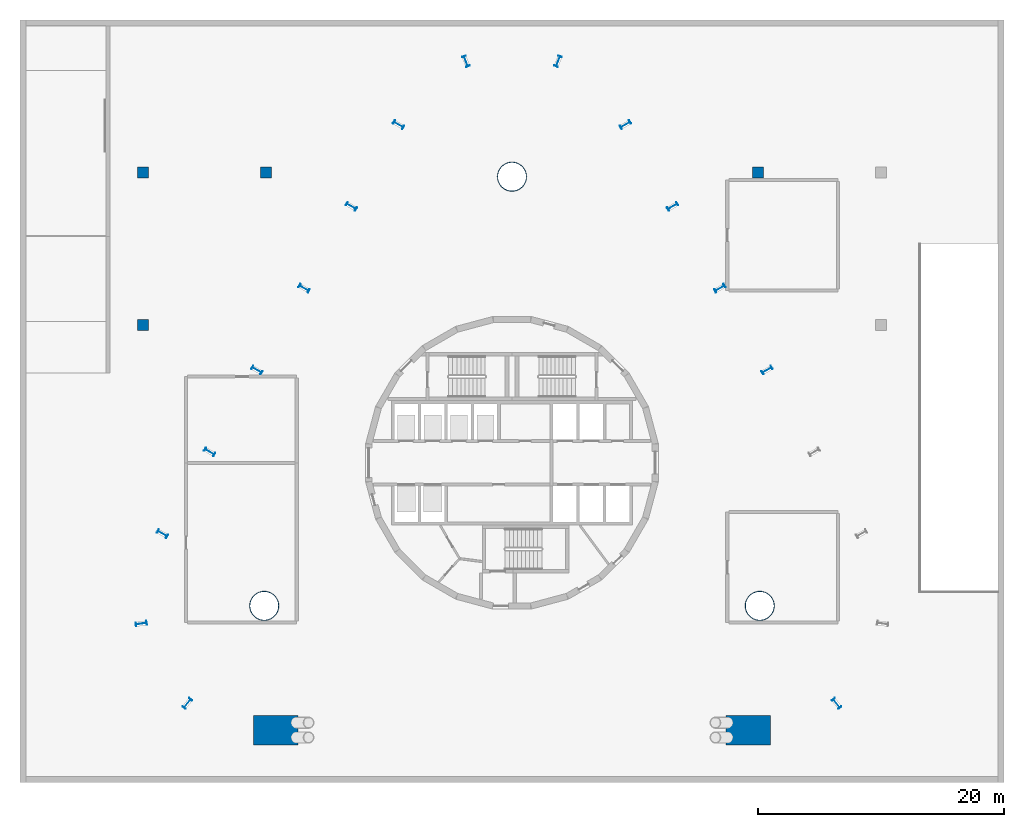
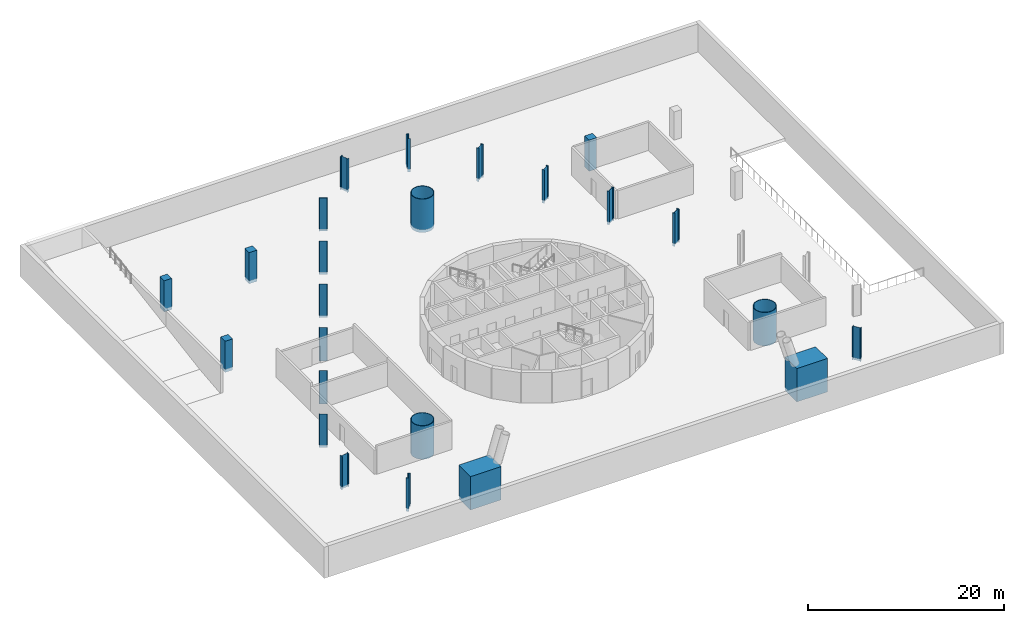
# One storey, part 1 of 10: 24 columns.
"""IFC4 building model written with IfcOpenShell, lengths in metres."""

from ifc_helpers import new_model, si_unit, direction, frame, origin, origin_2d, place, context, subcontext, project, spatial, rectangle, hollow_circle, i_section, extrude, material, material_profile, profile_set, type_object, element, save


model = new_model("IFC4")

# Units and contexts
model_context = context("Model", 3, precision=1e-05, world=origin(), true_north=direction((0.0, 1.0)))
body_context = subcontext(model_context, "Body", "Model", "MODEL_VIEW")
ifc_project = project(units=[si_unit("LENGTHUNIT", "METRE"), si_unit("AREAUNIT", "SQUARE_METRE"), si_unit("VOLUMEUNIT", "CUBIC_METRE"), si_unit("PLANEANGLEUNIT", "RADIAN"), si_unit("MASSUNIT", "GRAM", prefix="KILO")], contexts=[model_context])

# Site, building, storey
site_placement = place(None, origin())
site = spatial("IfcSite", under=ifc_project, at=site_placement, CompositionType="ELEMENT")
building_placement = place(site_placement, origin())
building = spatial("IfcBuilding", under=site, at=building_placement, Name="Spindle Arch Residences", CompositionType="ELEMENT")
storey_placement = place(building_placement, frame((0.0, 0.0, -4.199951171875)))
storey = spatial("IfcBuildingStorey", under=building, at=storey_placement, Name="B1", CompositionType="ELEMENT", Elevation=-4.199951171875)

# Columns
ifc_material_1 = material(Name="Concrete C50/60", Category="concrete")
ifc_material_profile_1 = material_profile(ifc_material_1, rectangle(XDim=3.60009765625, YDim=2.39990234375, at=origin_2d()), Name="RC 3600x2400")
ifc_profile_set_1 = profile_set([ifc_material_profile_1], Name="Concrete C50/60")
column_type_1 = type_object("IfcColumnType", Name="Arcade pier RC 3600x2400", PredefinedType="COLUMN", material=ifc_profile_set_1)
for number, where, z_axis, x_axis, name in (
    (1, (-19.2001953125, -21.72998046875, -0.380126953125), (0.0, 0.0, 1.0), (1.0, 0.0, 0.0), "Arcade pier W"),
    (2, (19.2001953125, -21.72998046875, -0.380126953125), (0.0, 0.0, 1.0), (1.0, 0.0, 0.0), "Arcade pier E"),
):
    element("IfcColumn", number, at=place(storey_placement, frame(where, z_axis=z_axis, x_axis=x_axis)), inside=storey, type_object=column_type_1, Name=name, PredefinedType="COLUMN", context=body_context, shape_type="SweptSolid", body=[
        extrude(rectangle(XDim=3.60009765625, YDim=2.39990234375, at=origin_2d()), origin(), (0.0, 0.0, 1.0), 4.16015625),
    ])
ifc_material_2 = material(Name="Concrete C50/60", Category="concrete")
ifc_material_profile_2 = material_profile(ifc_material_2, rectangle(XDim=0.89990234375, YDim=0.89990234375, at=origin_2d()), Name="RC 900x900")
ifc_profile_set_2 = profile_set([ifc_material_profile_2], Name="Concrete C50/60")
column_type_2 = type_object("IfcColumnType", Name="Basement column RC 900x900", PredefinedType="COLUMN", material=ifc_profile_set_2)
for number, where, z_axis, x_axis, name in (
    (3, (-30.0, 11.199951171875, -0.380126953125), (0.0, 0.0, 1.0), (1.0, 0.0, 0.0), "Basement column 000"),
    (4, (-30.0, 23.60009765625, -0.380126953125), (0.0, 0.0, 1.0), (1.0, 0.0, 0.0), "Basement column 001"),
    (5, (-20.0, 23.60009765625, -0.380126953125), (0.0, 0.0, 1.0), (1.0, 0.0, 0.0), "Basement column 002"),
    (6, (20.0, 23.60009765625, -0.380126953125), (0.0, 0.0, 1.0), (1.0, 0.0, 0.0), "Basement column 003"),
):
    element("IfcColumn", number, at=place(storey_placement, frame(where, z_axis=z_axis, x_axis=x_axis)), inside=storey, type_object=column_type_2, Name=name, PredefinedType="COLUMN", context=body_context, shape_type="SweptSolid", body=[
        extrude(rectangle(XDim=0.89990234375, YDim=0.89990234375, at=origin_2d()), origin(), (0.0, 0.0, 1.0), 3.880126953125),
    ])
ifc_material_3 = material(Name="Steel S460ML, intumescent coating R 240", Category="steel")
ifc_material_profile_3 = material_profile(ifc_material_3, i_section(OverallWidth=0.300048828125, OverallDepth=0.89990234375, WebThickness=0.0185546875, FlangeThickness=0.034912109375, FilletRadius=0.030029296875, at=origin_2d()), Name="HEB 900")
ifc_profile_set_3 = profile_set([ifc_material_profile_3], Name="Steel S460ML, intumescent coating R 240")
column_type_3 = type_object("IfcColumnType", Name="Exoskeleton post HEB 900", PredefinedType="COLUMN", material=ifc_profile_set_3)
for number, where, z_axis, x_axis, name in (
    (7, (26.3916015625, -19.565185546875, -0.380126953125), (0.0, 0.0, 1.0), (-0.7856835335, -0.618628632693, 0.0), "Exoskeleton post 4"),
    (8, (20.73876953125, 7.539306640625, -0.380126953125), (0.0, 0.0, 1.0), (0.50000017485, -0.866025302835, 0.0), "Exoskeleton post 8"),
    (9, (16.898681640625, 14.1904296875, -0.380126953125), (0.0, 0.0, 1.0), (0.50000017485, -0.866025302835, 0.0), "Exoskeleton post 9"),
    (10, (13.05859375, 20.841796875, -0.380126953125), (0.0, 0.0, 1.0), (0.50000017485, -0.866025302835, 0.0), "Exoskeleton post 10"),
    (11, (9.218505859375, 27.492919921875, -0.380126953125), (0.0, 0.0, 1.0), (0.50000017485, -0.866025302835, 0.0), "Exoskeleton post 11"),
    (12, (3.748291015625, 32.638671875, -0.380126953125), (0.0, 0.0, 1.0), (0.928589751246, -0.371107900591, 0.0), "Exoskeleton post 12"),
    (13, (-3.748291015625, 32.638671875, -0.380126953125), (0.0, 0.0, 1.0), (0.928589751246, 0.371107900591, 0.0), "Exoskeleton post 13"),
    (14, (-9.218505859375, 27.492919921875, -0.380126953125), (0.0, 0.0, 1.0), (0.50000017485, 0.866025302835, 0.0), "Exoskeleton post 14"),
    (15, (-13.05859375, 20.841796875, -0.380126953125), (0.0, 0.0, 1.0), (0.50000017485, 0.866025302835, 0.0), "Exoskeleton post 15"),
    (16, (-16.898681640625, 14.1904296875, -0.380126953125), (0.0, 0.0, 1.0), (0.50000017485, 0.866025302835, 0.0), "Exoskeleton post 16"),
    (17, (-20.73876953125, 7.539306640625, -0.380126953125), (0.0, 0.0, 1.0), (0.50000017485, 0.866025302835, 0.0), "Exoskeleton post 17"),
    (18, (-24.57861328125, 0.88818359375, -0.380126953125), (0.0, 0.0, 1.0), (0.50000017485, 0.866025302835, 0.0), "Exoskeleton post 18"),
    (19, (-28.418701171875, -5.762939453125, -0.380126953125), (0.0, 0.0, 1.0), (0.50000017485, 0.866025302835, 0.0), "Exoskeleton post 19"),
    (20, (-30.139892578125, -13.0732421875, -0.380126953125), (0.0, 0.0, 1.0), (-0.142906037553, 0.989736260036, 0.0), "Exoskeleton post 20"),
    (21, (-26.3916015625, -19.565185546875, -0.380126953125), (0.0, 0.0, 1.0), (-0.7856835335, 0.618628632693, 0.0), "Exoskeleton post 21"),
):
    element("IfcColumn", number, at=place(storey_placement, frame(where, z_axis=z_axis, x_axis=x_axis)), inside=storey, type_object=column_type_3, Name=name, PredefinedType="COLUMN", context=body_context, shape_type="SweptSolid", body=[
        extrude(i_section(OverallWidth=0.300048828125, OverallDepth=0.89990234375, WebThickness=0.0185546875, FlangeThickness=0.034912109375, FilletRadius=0.030029296875, at=origin_2d()), origin(), (0.0, 0.0, 1.0), 4.16015625),
    ])
ifc_material_4 = material(Name="Concrete C50/60 filled steel tube S460ML, intumescent coating R 240", Category="concrete")
ifc_material_profile_4 = material_profile(ifc_material_4, hollow_circle(Radius=1.199951171875, WallThickness=0.06005859375, at=origin_2d()), Name="CFT D2400x60")
ifc_profile_set_4 = profile_set([ifc_material_profile_4], Name="Concrete C50/60 filled steel tube S460ML, intumescent coating R 240")
column_type_4 = type_object("IfcColumnType", Name="Mega-column CFT D2400x60", PredefinedType="COLUMN", material=ifc_profile_set_4)
for number, where, z_axis, x_axis, name in (
    (22, (20.1435546875, -11.6298828125, -0.380126953125), (0.0, 0.0, 1.0), (1.0, 0.0, 0.0), "Mega-column 1"),
    (23, (0.0, 23.259765625, -0.380126953125), (0.0, 0.0, 1.0), (1.0, 0.0, 0.0), "Mega-column 2"),
    (24, (-20.1435546875, -11.6298828125, -0.380126953125), (0.0, 0.0, 1.0), (1.0, 0.0, 0.0), "Mega-column 3"),
):
    element("IfcColumn", number, at=place(storey_placement, frame(where, z_axis=z_axis, x_axis=x_axis)), inside=storey, type_object=column_type_4, Name=name, PredefinedType="COLUMN", context=body_context, shape_type="SweptSolid", body=[
        extrude(hollow_circle(Radius=1.199951171875, WallThickness=0.06005859375, at=origin_2d()), origin(), (0.0, 0.0, 1.0), 4.16015625),
    ])

save(model, "model.ifc")
